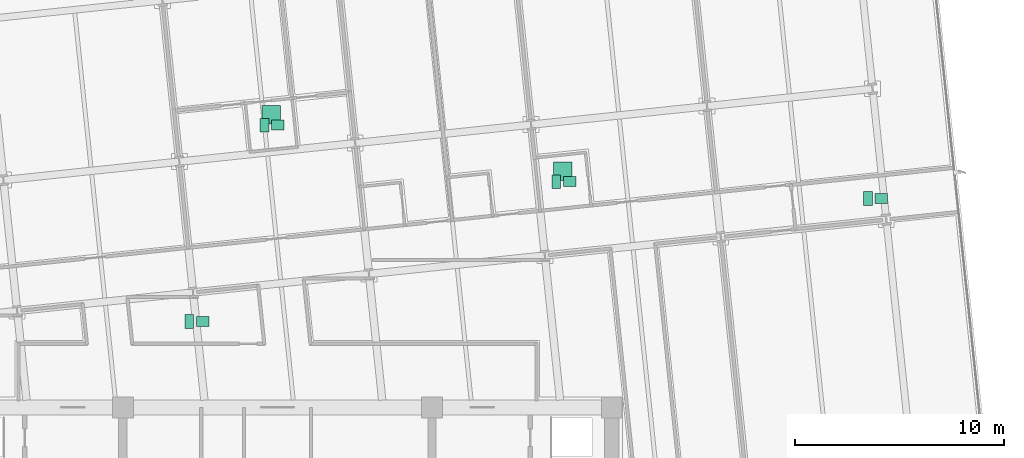
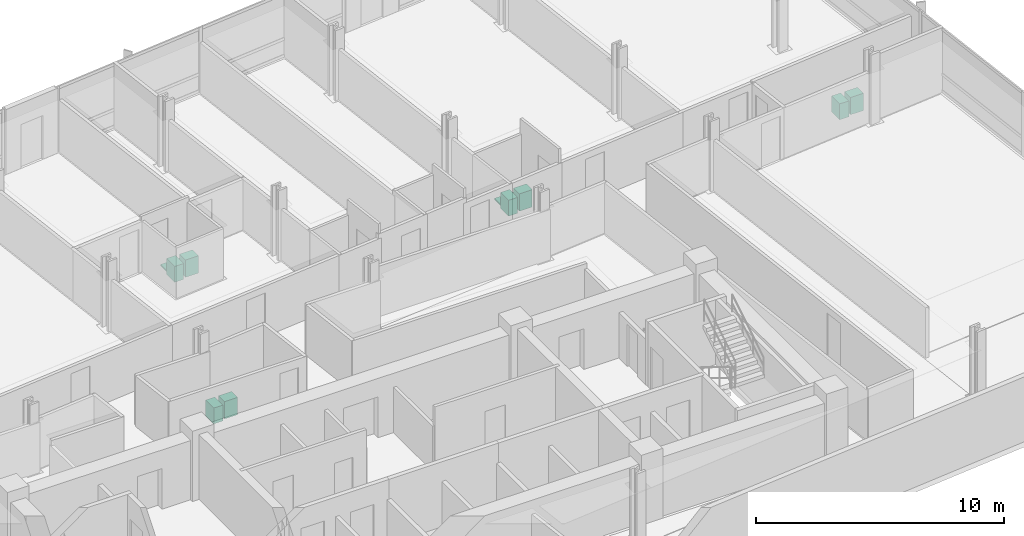
# One storey, part 17 of 17: 10 sanitary terminals.
"""IFC4 building model written with IfcOpenShell, lengths in metres."""

from ifc_helpers import new_model, si_unit, direction, frame, origin, origin_2d, place, context, subcontext, project, spatial, rectangle, extrude, material, type_object, element, save


model = new_model("IFC4")

# Units and contexts
model_context = context("Model", 3, precision=1e-05, world=origin(), true_north=direction((0.0, 1.0)))
body_context = subcontext(model_context, "Body", "Model", "MODEL_VIEW")
ifc_project = project(units=[si_unit("LENGTHUNIT", "METRE"), si_unit("AREAUNIT", "SQUARE_METRE"), si_unit("VOLUMEUNIT", "CUBIC_METRE"), si_unit("PLANEANGLEUNIT", "RADIAN"), si_unit("MASSUNIT", "GRAM", prefix="KILO")], contexts=[model_context])

# Site, building, storey
site_placement = place(None, origin())
site = spatial("IfcSite", under=ifc_project, at=site_placement, CompositionType="ELEMENT")
building_placement = place(site_placement, origin())
building = spatial("IfcBuilding", under=site, at=building_placement, Name="Solmavex Isthmus Hotel", CompositionType="ELEMENT")
storey_placement = place(building_placement, frame((0.0, 0.0, 93.89990234375)))
storey = spatial("IfcBuildingStorey", under=building, at=storey_placement, Name="L25", CompositionType="ELEMENT", Elevation=93.89990234375)

# Sanitary terminals
ifc_material = material(Name="Vitreous china ceramic", Category="ceramic")
sanitary_terminal_type_1 = type_object("IfcSanitaryTerminalType", Name="SAN-BASIN", PredefinedType="WASHHANDBASIN", material=ifc_material)
for number, where, z_axis, x_axis, name in (
    (1, (0.022216796875, 11.011474609375, 0.0), (0.0, 0.0, 1.0), (1.0, 0.0, 0.0), "Vanity Washbasin L25-117"),
    (2, (13.98046875, 8.3076171875, 0.0), (0.0, 0.0, 1.0), (1.0, 0.0, 0.0), "Vanity Washbasin L25-118"),
    (3, (-3.58349609375, 1.6162109375, 0.0), (0.0, 0.0, 1.0), (1.0, 0.0, 0.0), "Vanity Washbasin L25-119"),
    (4, (28.9111328125, 7.50390625, 0.0), (0.0, 0.0, 1.0), (1.0, 0.0, 0.0), "Vanity Washbasin L25-120"),
):
    element("IfcSanitaryTerminal", number, at=place(storey_placement, frame(where, z_axis=z_axis, x_axis=x_axis)), inside=storey, type_object=sanitary_terminal_type_1, Name=name, PredefinedType="WASHHANDBASIN", context=body_context, shape_type="SweptSolid", body=[
        extrude(rectangle(XDim=0.60009765625, YDim=0.47998046875, at=origin_2d()), origin(), (0.0, 0.0, 1.0), 0.85009765625),
    ])
sanitary_terminal_type_2 = type_object("IfcSanitaryTerminalType", Name="SAN-SHOWER", PredefinedType="SHOWER", material=ifc_material)
for number, where, z_axis, x_axis, name in (
    (5, (-0.297607421875, 11.511474609375, 0.0), (0.0, 0.0, 1.0), (1.0, 0.0, 0.0), "Walk-In Shower L25-117"),
    (6, (13.660400390625, 8.8076171875, 0.0), (0.0, 0.0, 1.0), (1.0, 0.0, 0.0), "Walk-In Shower L25-118"),
):
    element("IfcSanitaryTerminal", number, at=place(storey_placement, frame(where, z_axis=z_axis, x_axis=x_axis)), inside=storey, type_object=sanitary_terminal_type_2, Name=name, PredefinedType="SHOWER", context=body_context, shape_type="SweptSolid", body=[
        extrude(rectangle(XDim=0.89990234375, YDim=0.89990234375, at=origin_2d()), origin(), (0.0, 0.0, 1.0), 0.080078125),
    ])
sanitary_terminal_type_3 = type_object("IfcSanitaryTerminalType", Name="SAN-WC-SUITE", PredefinedType="TOILETPAN", material=ifc_material)
for number, where, z_axis, x_axis, name in (
    (7, (-0.61767578125, 11.011474609375, 0.0), (0.0, 0.0, 1.0), (1.0, 0.0, 0.0), "Water Closet L25-117"),
    (8, (13.34033203125, 8.3076171875, 0.0), (0.0, 0.0, 1.0), (1.0, 0.0, 0.0), "Water Closet L25-118"),
    (9, (-4.223388671875, 1.6162109375, 0.0), (0.0, 0.0, 1.0), (1.0, 0.0, 0.0), "Water Closet L25-119"),
    (10, (28.271240234375, 7.50390625, 0.0), (0.0, 0.0, 1.0), (1.0, 0.0, 0.0), "Water Closet L25-120"),
):
    element("IfcSanitaryTerminal", number, at=place(storey_placement, frame(where, z_axis=z_axis, x_axis=x_axis)), inside=storey, type_object=sanitary_terminal_type_3, Name=name, PredefinedType="TOILETPAN", context=body_context, shape_type="SweptSolid", body=[
        extrude(rectangle(XDim=0.419921875, YDim=0.64990234375, at=origin_2d()), origin(), (0.0, 0.0, 1.0), 0.780029296875),
    ])

save(model, "model.ifc")
